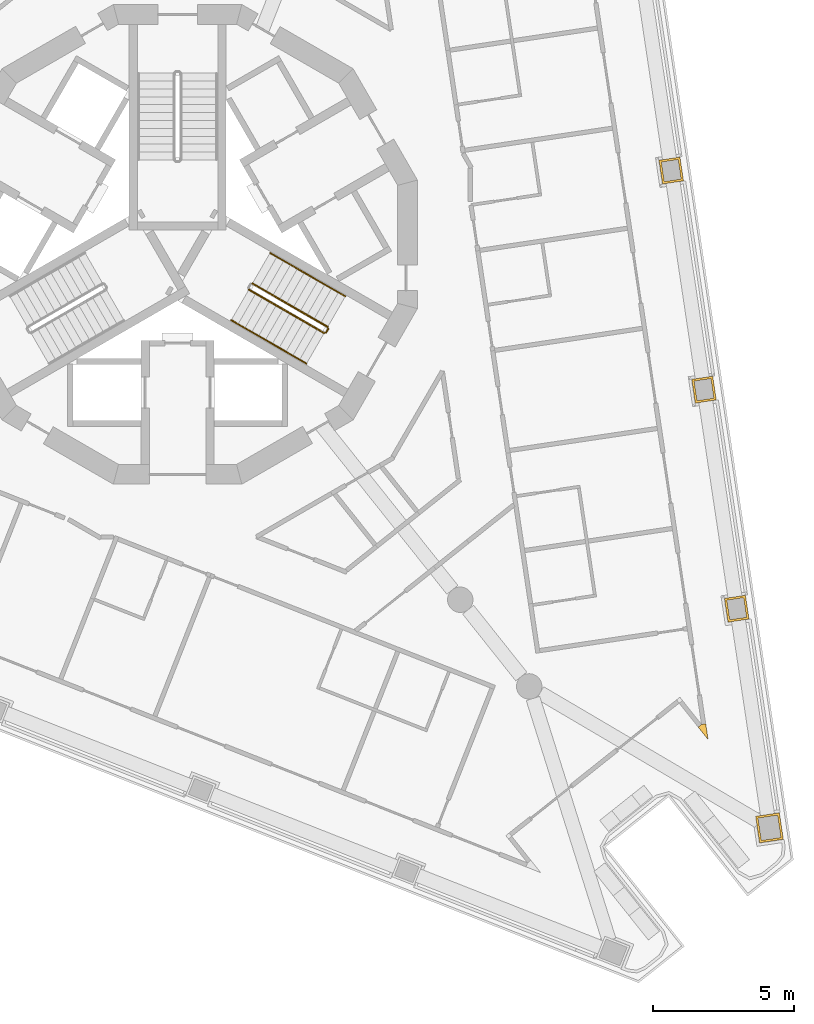
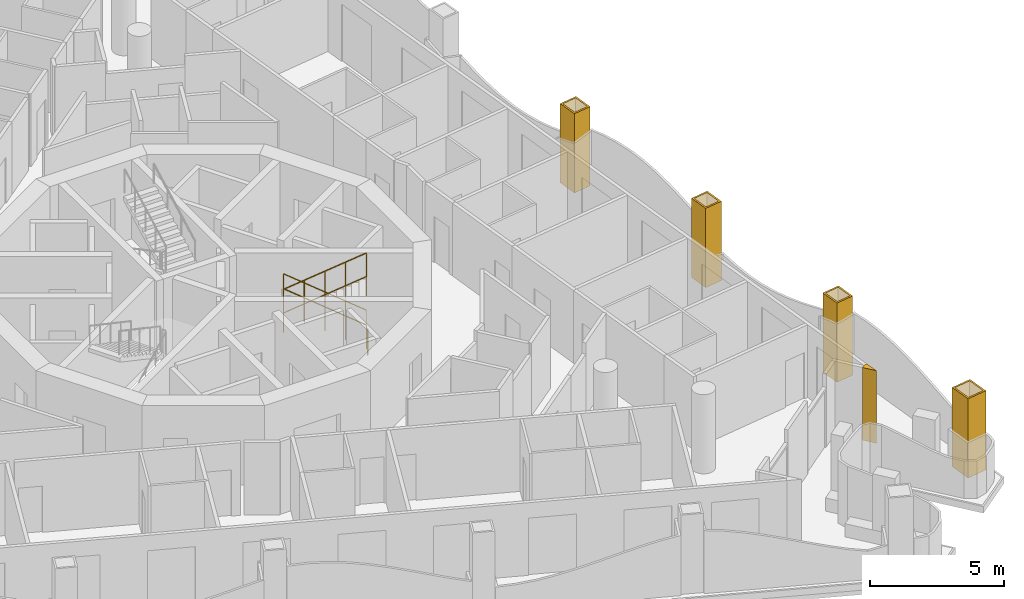
# One storey, part 15 of 17: 7 railings, 5 coverings.
"""IFC4 building model written with IfcOpenShell, lengths in metres."""

from ifc_helpers import new_model, si_unit, direction, frame, origin, origin_2d, place, context, subcontext, project, spatial, polyline, circle, outline, extrude, material, layer, layer_set, type_object, element, save


model = new_model("IFC4")

# Units and contexts
model_context = context("Model", 3, precision=1e-05, world=origin(), true_north=direction((0.0, 1.0)))
body_context = subcontext(model_context, "Body", "Model", "MODEL_VIEW")
ifc_project = project(units=[si_unit("LENGTHUNIT", "METRE"), si_unit("AREAUNIT", "SQUARE_METRE"), si_unit("VOLUMEUNIT", "CUBIC_METRE"), si_unit("PLANEANGLEUNIT", "RADIAN"), si_unit("MASSUNIT", "GRAM", prefix="KILO")], contexts=[model_context])

# Site, building, storey
site_placement = place(None, origin())
site = spatial("IfcSite", under=ifc_project, at=site_placement, CompositionType="ELEMENT")
building_placement = place(site_placement, origin())
building = spatial("IfcBuilding", under=site, at=building_placement, Name="Trine Commons Tower", CompositionType="ELEMENT")
storey_placement = place(building_placement, frame((0.0, 0.0, 208.800048828125)))
storey = spatial("IfcBuildingStorey", under=building, at=storey_placement, Name="L54", CompositionType="ELEMENT", Elevation=208.800048828125)

# Coverings
ifc_material_1 = material(Name="Aluminium-framed insulated wall panel", Category="aluminium")
ifc_layer_1 = layer(ifc_material_1, 0.14990234375)
ifc_layer_set_1 = layer_set([ifc_layer_1], Name="Aluminium-framed insulated wall panel")
covering_type_1 = type_object("IfcCoveringType", Name="Glazing corner post, aluminium", PredefinedType="CLADDING", material=ifc_layer_set_1)
covering_1_placement = place(storey_placement, origin())
element("IfcCovering", 1, at=covering_1_placement, inside=storey, type_object=covering_type_1, Name="Glazing corner post 6-06", PredefinedType="CLADDING", context=body_context, shape_type="SweptSolid", body=[
    extrude(outline(polyline([(98.4521484375, 45.390625), (98.800537109375, 44.95263671875), (98.718017578125, 45.506103515625), (98.569580078125, 45.484130859375), (98.4521484375, 45.390625)])), origin(), (0.0, 0.0, 1.0), 3.300048828125),
])
ifc_material_2 = material(Name="Limestone, honed", Category="masonry")
ifc_layer_2 = layer(ifc_material_2, 0.074951171875)
ifc_layer_set_2 = layer_set([ifc_layer_2], Name="Limestone, honed")
covering_type_2 = type_object("IfcCoveringType", Name="Limestone column cladding 75", PredefinedType="CLADDING", material=ifc_layer_set_2)
covering_2_placement = place(storey_placement, origin())
element("IfcCovering", 2, at=covering_2_placement, inside=storey, type_object=covering_type_2, Name="Limestone pier cladding 6-18", PredefinedType="CLADDING", context=body_context, shape_type="SweptSolid", body=[
    extrude(outline(polyline([(97.80419921875, 65.590576171875), (97.0625, 65.479736328125), (97.18798828125, 64.638916015625), (97.9296875, 64.75), (97.80419921875, 65.590576171875)]), holes=[polyline([(97.7412109375, 65.50537109375), (97.147705078125, 65.41650390625), (97.251220703125, 64.724365234375), (97.844482421875, 64.81298828125), (97.7412109375, 65.50537109375)])]), origin(), (0.0, 0.0, 1.0), 3.599853515625),
])
covering_3_placement = place(storey_placement, origin())
element("IfcCovering", 3, at=covering_3_placement, inside=storey, type_object=covering_type_2, Name="Limestone pier cladding 6-19", PredefinedType="CLADDING", context=body_context, shape_type="SweptSolid", body=[
    extrude(outline(polyline([(98.964599609375, 57.826171875), (98.222900390625, 57.71533203125), (98.348388671875, 56.87451171875), (99.090087890625, 56.985595703125), (98.964599609375, 57.826171875)]), holes=[polyline([(98.901611328125, 57.740966796875), (98.30810546875, 57.652099609375), (98.41162109375, 56.9599609375), (99.0048828125, 57.048583984375), (98.901611328125, 57.740966796875)])]), origin(), (0.0, 0.0, 1.0), 3.599853515625),
])
covering_4_placement = place(storey_placement, origin())
element("IfcCovering", 4, at=covering_4_placement, inside=storey, type_object=covering_type_2, Name="Limestone pier cladding 6-20", PredefinedType="CLADDING", context=body_context, shape_type="SweptSolid", body=[
    extrude(outline(polyline([(100.125, 50.06201171875), (99.38330078125, 49.950927734375), (99.5087890625, 49.1103515625), (100.25048828125, 49.22119140625), (100.125, 50.06201171875)]), holes=[polyline([(100.06201171875, 49.9765625), (99.468505859375, 49.887939453125), (99.572021484375, 49.195556640625), (100.165283203125, 49.2841796875), (100.06201171875, 49.9765625)])]), origin(), (0.0, 0.0, 1.0), 3.599853515625),
])
covering_5_placement = place(storey_placement, origin())
element("IfcCovering", 5, at=covering_5_placement, inside=storey, type_object=covering_type_2, Name="Limestone pier cladding 6-21", PredefinedType="CLADDING", context=body_context, shape_type="SweptSolid", body=[
    extrude(outline(polyline([(101.327392578125, 42.354248046875), (100.48681640625, 42.228759765625), (100.627197265625, 41.2890625), (101.4677734375, 41.414794921875), (101.327392578125, 42.354248046875)]), holes=[polyline([(101.264404296875, 42.26904296875), (100.572021484375, 42.16552734375), (100.690185546875, 41.37451171875), (101.382568359375, 41.477783203125), (101.264404296875, 42.26904296875)])]), origin(), (0.0, 0.0, 1.0), 3.599853515625),
])

# Railings
ifc_material_3 = material(Name="Stainless steel balustrade", Category="steel")
railing_type_1 = type_object("IfcRailingType", Name="Stair guard, steel balustrade 1100", PredefinedType="GUARDRAIL", material=ifc_material_3)
railing_1_placement = place(storey_placement, frame((85.31982421875, 59.572998046875, 0.14990234375)))
element("IfcRailing", 6, at=railing_1_placement, inside=storey, type_object=railing_type_1, Name="L54 ST3C stair guard 1", PredefinedType="GUARDRAIL", context=body_context, shape_type="SweptSolid", body=[
    extrude(circle(Radius=0.02392578125, at=origin_2d()), frame((0.0, 0.0, 1.076171875), z_axis=(-0.763379768245, 0.440728498818, 0.472239049384), x_axis=(-0.499992328818, -0.866029832698, 0.0)), (0.0, 0.0, 1.0), 3.494384765625),
    extrude(circle(Radius=0.02099609375, at=origin_2d()), origin(), (0.0, 0.0, 1.0), 1.052001953125),
    extrude(circle(Radius=0.02099609375, at=origin_2d()), frame((-0.6669921875, 0.385009765625, 0.41259765625)), (0.0, 0.0, 1.0), 1.052001953125),
    extrude(circle(Radius=0.02099609375, at=origin_2d()), frame((-1.333740234375, 0.77001953125, 0.8251953125)), (0.0, 0.0, 1.0), 1.052001953125),
    extrude(circle(Radius=0.02099609375, at=origin_2d()), frame((-2.00048828125, 1.155029296875, 1.237548828125)), (0.0, 0.0, 1.0), 1.052001953125),
    extrude(circle(Radius=0.02099609375, at=origin_2d()), frame((-2.66748046875, 1.5400390625, 1.650146484375)), (0.0, 0.0, 1.0), 1.052001953125),
])
railing_2_placement = place(storey_placement, frame((82.52734375, 60.896484375, 1.949951171875)))
element("IfcRailing", 7, at=railing_2_placement, inside=storey, type_object=railing_type_1, Name="L54 ST3C stair guard 3", PredefinedType="GUARDRAIL", context=body_context, shape_type="SweptSolid", body=[
    extrude(circle(Radius=0.02392578125, at=origin_2d()), frame((0.0, 0.0, 1.076171875), z_axis=(0.76340495495, -0.440743040072, 0.472184759798), x_axis=(0.499992328818, 0.866029832698, 0.0)), (0.0, 0.0, 1.0), 3.494140625),
    extrude(circle(Radius=0.02099609375, at=origin_2d()), origin(), (0.0, 0.0, 1.0), 1.052001953125),
    extrude(circle(Radius=0.02099609375, at=origin_2d()), frame((0.6669921875, -0.385009765625, 0.41259765625)), (0.0, 0.0, 1.0), 1.052001953125),
    extrude(circle(Radius=0.02099609375, at=origin_2d()), frame((1.333740234375, -0.77001953125, 0.824951171875)), (0.0, 0.0, 1.0), 1.052001953125),
    extrude(circle(Radius=0.02099609375, at=origin_2d()), frame((2.00048828125, -1.155029296875, 1.2373046875)), (0.0, 0.0, 1.0), 1.052001953125),
    extrude(circle(Radius=0.02099609375, at=origin_2d()), frame((2.66748046875, -1.5400390625, 1.64990234375)), (0.0, 0.0, 1.0), 1.052001953125),
])
railing_3_placement = place(storey_placement, frame((85.338134765625, 59.504638671875, 0.0)))
element("IfcRailing", 8, at=railing_3_placement, inside=storey, type_object=railing_type_1, Name="L54 ST3C stair guard 4", PredefinedType="GUARDRAIL", context=body_context, shape_type="SweptSolid", body=[
    extrude(circle(Radius=0.02392578125, at=origin_2d()), frame((0.0, 0.0, 1.076171875), z_axis=(-0.499816412211, -0.866131372301, 0.0), x_axis=(0.866131372301, -0.499816412211, 0.0)), (0.0, 0.0, 1.0), 0.14990234375),
    extrude(circle(Radius=0.02099609375, at=origin_2d()), origin(), (0.0, 0.0, 1.0), 1.052001953125),
    extrude(circle(Radius=0.02099609375, at=origin_2d()), frame((-0.074951171875, -0.1298828125, 0.0)), (0.0, 0.0, 1.0), 1.052001953125),
])
ifc_material_4 = material(Name="Stainless steel handrail", Category="steel")
railing_type_2 = type_object("IfcRailingType", Name="Stair handrail, steel 900", PredefinedType="HANDRAIL", material=ifc_material_4)
railing_4_placement = place(storey_placement, frame((85.94482421875, 60.655517578125, 0.14990234375)))
element("IfcRailing", 9, at=railing_4_placement, inside=storey, type_object=railing_type_2, Name="L54 ST3C stair handrail 1", PredefinedType="HANDRAIL", context=body_context, shape_type="SweptSolid", body=[
    extrude(circle(Radius=0.02099609375, at=origin_2d()), frame((0.0, 0.0, 0.87890625), z_axis=(-0.76340495495, 0.440743040072, 0.472184759798), x_axis=(-0.499992328818, -0.866029832698, 0.0)), (0.0, 0.0, 1.0), 1.7470703125),
    extrude(circle(Radius=0.01513671875, at=origin_2d()), origin(), (0.0, 0.0, 1.0), 0.85791015625),
    extrude(circle(Radius=0.01513671875, at=origin_2d()), frame((-0.6669921875, 0.385009765625, 0.41259765625)), (0.0, 0.0, 1.0), 0.85791015625),
    extrude(circle(Radius=0.01513671875, at=origin_2d()), frame((-1.333740234375, 0.77001953125, 0.824951171875)), (0.0, 0.0, 1.0), 0.85791015625),
])
railing_5_placement = place(storey_placement, frame((84.611083984375, 61.425537109375, 0.974853515625)))
element("IfcRailing", 10, at=railing_5_placement, inside=storey, type_object=railing_type_2, Name="L54 ST3C stair handrail 2", PredefinedType="HANDRAIL", context=body_context, shape_type="SweptSolid", body=[
    extrude(circle(Radius=0.02099609375, at=origin_2d()), frame((0.0, 0.0, 0.87890625), z_axis=(-0.763354580307, 0.440713956853, 0.472293333596), x_axis=(-0.499992328818, -0.866029832698, 0.0)), (0.0, 0.0, 1.0), 1.747314453125),
    extrude(circle(Radius=0.01513671875, at=origin_2d()), origin(), (0.0, 0.0, 1.0), 0.85791015625),
    extrude(circle(Radius=0.01513671875, at=origin_2d()), frame((-0.6669921875, 0.385009765625, 0.41259765625)), (0.0, 0.0, 1.0), 0.85791015625),
    extrude(circle(Radius=0.01513671875, at=origin_2d()), frame((-1.333740234375, 0.77001953125, 0.8251953125)), (0.0, 0.0, 1.0), 0.85791015625),
])
for number, where, name in (
    (11, (81.90234375, 59.81396484375, 1.949951171875), "L54 ST3C stair handrail 3"),
    (12, (83.236083984375, 59.0439453125, 2.77490234375), "L54 ST3C stair handrail 4"),
):
    element("IfcRailing", number, at=place(storey_placement, frame(where)), inside=storey, type_object=railing_type_2, Name=name, PredefinedType="HANDRAIL", context=body_context, shape_type="SweptSolid", body=[
        extrude(circle(Radius=0.02099609375, at=origin_2d()), frame((0.0, 0.0, 0.87890625), z_axis=(0.76340495495, -0.440743040072, 0.472184759798), x_axis=(0.499992328818, 0.866029832698, 0.0)), (0.0, 0.0, 1.0), 1.7470703125),
        extrude(circle(Radius=0.01513671875, at=origin_2d()), origin(), (0.0, 0.0, 1.0), 0.85791015625),
        extrude(circle(Radius=0.01513671875, at=origin_2d()), frame((0.6669921875, -0.385009765625, 0.41259765625)), (0.0, 0.0, 1.0), 0.85791015625),
        extrude(circle(Radius=0.01513671875, at=origin_2d()), frame((1.333740234375, -0.77001953125, 0.824951171875)), (0.0, 0.0, 1.0), 0.85791015625),
    ])

save(model, "model.ifc")
